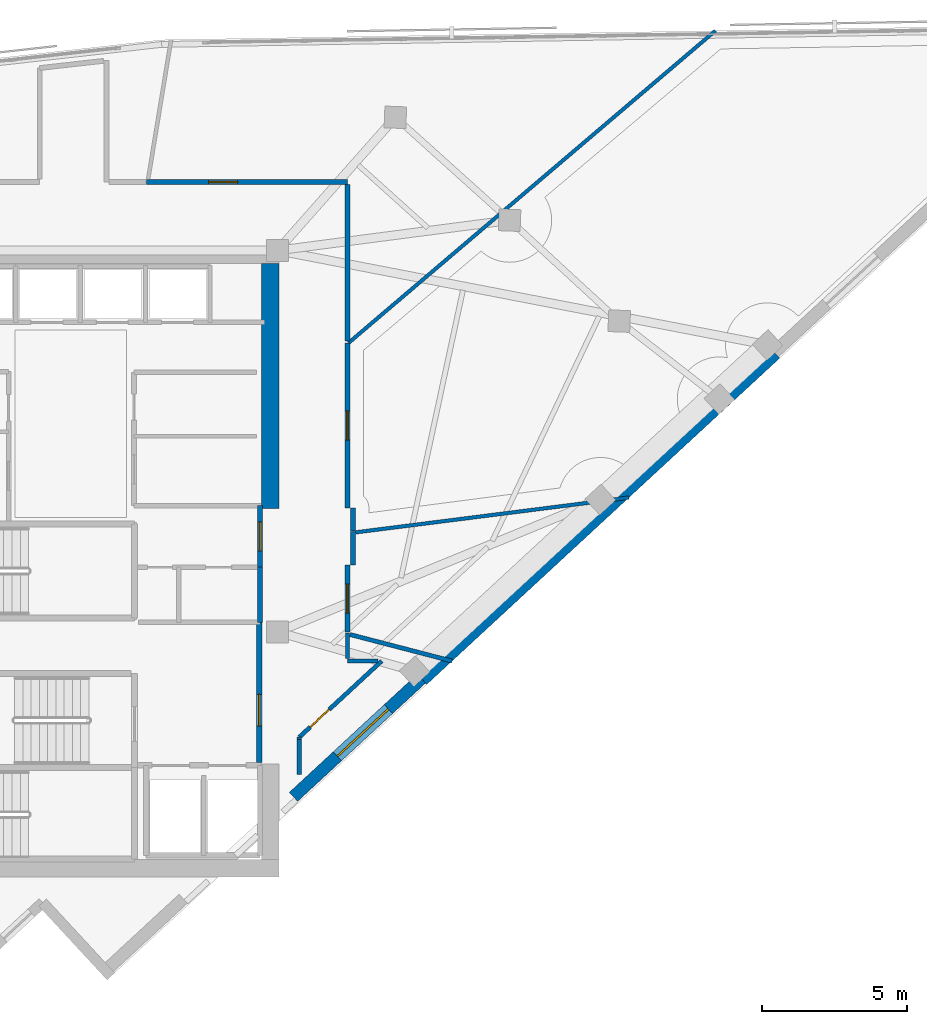
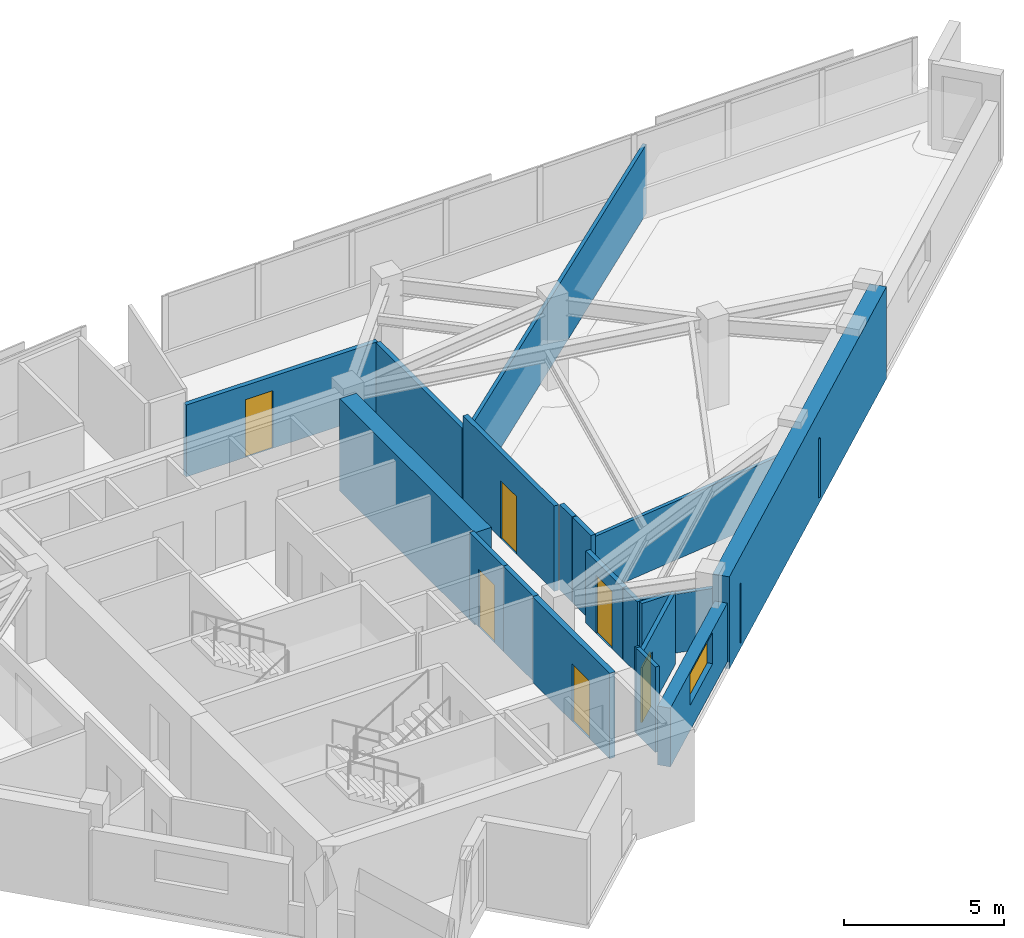
# One storey, part 10 of 13: 20 walls, 6 doors, 1 window, 7 openings.
"""IFC4 building model written with IfcOpenShell, lengths in metres."""

from ifc_helpers import new_model, si_unit, direction, frame, frame_2d, origin, place, context, subcontext, project, spatial, rectangle, extrude, material, layer, layer_set, type_object, element, fill, save


model = new_model("IFC4")

# Units and contexts
model_context = context("Model", 3, precision=1e-05, world=origin(), true_north=direction((0.0, 1.0)))
body_context = subcontext(model_context, "Body", "Model", "MODEL_VIEW")
ifc_project = project(units=[si_unit("LENGTHUNIT", "METRE"), si_unit("AREAUNIT", "SQUARE_METRE"), si_unit("VOLUMEUNIT", "CUBIC_METRE"), si_unit("PLANEANGLEUNIT", "RADIAN"), si_unit("MASSUNIT", "GRAM", prefix="KILO")], contexts=[model_context])

# Site, building, storey
site_placement = place(None, origin())
site = spatial("IfcSite", under=ifc_project, at=site_placement, CompositionType="ELEMENT")
building_placement = place(site_placement, origin())
building = spatial("IfcBuilding", under=site, at=building_placement, Name="Narakoshi Arena Tower", CompositionType="ELEMENT")
storey_placement = place(building_placement, frame((0.0, 0.0, 278.340087890625)))
storey = spatial("IfcBuildingStorey", under=building, at=storey_placement, Name="L76", CompositionType="ELEMENT", Elevation=278.340087890625)

# Wall
ifc_material_1 = material(Name="Concrete C50/60", Category="concrete")
ifc_layer_1 = layer(ifc_material_1, 0.60009765625)
ifc_layer_set_1 = layer_set([ifc_layer_1], Name="Concrete C50/60")
wall_type_1 = type_object("IfcWallType", Name="WL-CORE-600", PredefinedType="SHEAR", material=ifc_layer_set_1)
wall_1_placement = place(storey_placement, frame((85.300048828125, 47.60009765625, -0.260009765625), z_axis=(0.0, 0.0, 1.0), x_axis=(0.0, 1.0, 0.0)))
element("IfcWall", 1, at=wall_1_placement, inside=storey, type_object=wall_type_1, Name="L76 Main Core Shear Wall CW-MN-E", PredefinedType="SHEAR", context=body_context, shape_type="SweptSolid", body=[
    extrude(rectangle(XDim=8.449951171875, YDim=0.60009765625, at=frame_2d((4.22509765625, 0.0))), origin(), (0.0, 0.0, 1.0), 3.52001953125),
])

# Wall, opening, door
ifc_material_2 = material(Name="Gypsum plasterboard fire-rated partition")
ifc_layer_2 = layer(ifc_material_2, 0.1650390625)
ifc_layer_set_2 = layer_set([ifc_layer_2], Name="Gypsum plasterboard fire-rated partition")
wall_type_2 = type_object("IfcWallType", Name="WL-CORR-165", PredefinedType="PARTITIONING", material=ifc_layer_set_2)
wall_2_placement = place(storey_placement, frame((84.949951171875, 45.580078125, 0.0), z_axis=(0.0, 0.0, 1.0), x_axis=(0.0, 1.0, 0.0)))
wall_2 = element("IfcWall", 2, at=wall_2_placement, inside=storey, type_object=wall_type_2, Name="L76 Core Wall CPAS-E", PredefinedType="PARTITIONING", context=body_context, shape_type="SweptSolid", body=[
    extrude(rectangle(XDim=2.119873046875, YDim=0.1650390625, at=frame_2d((1.06005859375, 0.0))), origin(), (0.0, 0.0, 1.0), 3.260009765625),
])
opening_1_placement = place(wall_2_placement, frame((0.56005859375, 0.0, 0.0)))
opening_1 = element("IfcOpeningElement", 3, at=opening_1_placement, cuts=wall_2, Name="Opening D-06", PredefinedType="OPENING", context=body_context, shape_type="SweptSolid", body=[
    extrude(rectangle(XDim=1.0, YDim=2.199951171875, at=frame_2d((0.5, 1.10009765625))), frame((0.0, 0.092529296875, 0.0), z_axis=(0.0, -1.0, 0.0), x_axis=(1.0, 0.0, 0.0)), (0.0, 0.0, 1.0), 0.18505859375),
])
ifc_material_3 = material(Name="Stained oak solid-core timber", Category="wood")
door_type_1 = type_object("IfcDoorType", Name="DR-OFF-1000", OperationType="NOTDEFINED", PredefinedType="DOOR", material=ifc_material_3)
door_1_placement = place(opening_1_placement, frame((1.0, 0.0, 0.0), z_axis=(0.0, 0.0, 1.0), x_axis=(-1.0, 0.0, 0.0)))
door_1 = element("IfcDoor", 4, at=door_1_placement, inside=storey, type_object=door_type_1, Name="DR-L76-007", OperationType="SINGLE_SWING_LEFT", OverallHeight=2.199951171875, OverallWidth=1.0, PredefinedType="DOOR", context=body_context, shape_type="SweptSolid", body=[
    extrude(rectangle(XDim=1.0, YDim=2.199951171875, at=frame_2d((0.5, 1.10009765625))), frame((0.0, 0.02490234375, 0.0), z_axis=(0.0, -1.0, 0.0), x_axis=(1.0, 0.0, 0.0)), (0.0, 0.0, 1.0), 0.050048828125),
])
fill(opening_1, door_1)

wall_3_placement = place(storey_placement, frame((87.96142578125, 43.344482421875, 0.0), z_axis=(0.0, 0.0, 1.0), x_axis=(0.0, 1.0, 0.0)))
wall_3 = element("IfcWall", 5, at=wall_3_placement, inside=storey, type_object=wall_type_2, Name="L76 Corridor Partition 04-1", PredefinedType="PARTITIONING", context=body_context, shape_type="SweptSolid", body=[
    extrude(rectangle(XDim=2.305419921875, YDim=0.1650390625, at=frame_2d((1.15283203125, 0.0))), origin(), (0.0, 0.0, 1.0), 2.744873046875),
])
opening_2_placement = place(wall_3_placement, frame((0.65283203125, 0.0, 0.0)))
opening_2 = element("IfcOpeningElement", 6, at=opening_2_placement, cuts=wall_3, Name="Opening D-06", PredefinedType="OPENING", context=body_context, shape_type="SweptSolid", body=[
    extrude(rectangle(XDim=1.0, YDim=2.199951171875, at=frame_2d((0.5, 1.10009765625))), frame((0.0, 0.092529296875, 0.0), z_axis=(0.0, -1.0, 0.0), x_axis=(1.0, 0.0, 0.0)), (0.0, 0.0, 1.0), 0.18505859375),
])
door_2_placement = place(opening_2_placement, frame((1.0, 0.0, 0.0), z_axis=(0.0, 0.0, 1.0), x_axis=(-1.0, 0.0, 0.0)))
door_2 = element("IfcDoor", 7, at=door_2_placement, inside=storey, type_object=door_type_1, Name="DR-L76-020", OperationType="SINGLE_SWING_LEFT", OverallHeight=2.199951171875, OverallWidth=1.0, PredefinedType="DOOR", context=body_context, shape_type="SweptSolid", body=[
    extrude(rectangle(XDim=1.0, YDim=2.199951171875, at=frame_2d((0.5, 1.10009765625))), frame((0.0, 0.02490234375, 0.0), z_axis=(0.0, -1.0, 0.0), x_axis=(1.0, 0.0, 0.0)), (0.0, 0.0, 1.0), 0.050048828125),
])
fill(opening_2, door_2)

# Wall
wall_4_placement = place(storey_placement, frame((88.14990234375, 45.64990234375, 0.0), z_axis=(0.0, 0.0, 1.0), x_axis=(0.0, 1.0, 0.0)))
element("IfcWall", 8, at=wall_4_placement, inside=storey, type_object=wall_type_2, Name="L76 Corridor Partition 04-2", PredefinedType="PARTITIONING", context=body_context, shape_type="SweptSolid", body=[
    extrude(rectangle(XDim=1.156005859375, YDim=0.1650390625, at=frame_2d((0.578125, 0.0))), origin(), (0.0, 0.0, 1.0), 3.260009765625),
])

# Wall, opening, door
wall_5_placement = place(storey_placement, frame((87.96142578125, 47.6201171875, 0.0), z_axis=(0.0, 0.0, 1.0), x_axis=(0.0, 1.0, 0.0)))
wall_5 = element("IfcWall", 9, at=wall_5_placement, inside=storey, type_object=wall_type_2, Name="L76 Corridor Partition 05-1", PredefinedType="PARTITIONING", context=body_context, shape_type="SweptSolid", body=[
    extrude(rectangle(XDim=5.6923828125, YDim=0.1650390625, at=frame_2d((2.84619140625, 0.0))), origin(), (0.0, 0.0, 1.0), 3.260009765625),
])
opening_3_placement = place(wall_5_placement, frame((2.34619140625, 0.0, 0.0)))
opening_3 = element("IfcOpeningElement", 10, at=opening_3_placement, cuts=wall_5, Name="Opening D-06", PredefinedType="OPENING", context=body_context, shape_type="SweptSolid", body=[
    extrude(rectangle(XDim=1.0, YDim=2.199951171875, at=frame_2d((0.5, 1.10009765625))), frame((0.0, 0.092529296875, 0.0), z_axis=(0.0, -1.0, 0.0), x_axis=(1.0, 0.0, 0.0)), (0.0, 0.0, 1.0), 0.18505859375),
])
door_3_placement = place(opening_3_placement, frame((1.0, 0.0, 0.0), z_axis=(0.0, 0.0, 1.0), x_axis=(-1.0, 0.0, 0.0)))
door_3 = element("IfcDoor", 11, at=door_3_placement, inside=storey, type_object=door_type_1, Name="DR-L76-021", OperationType="SINGLE_SWING_RIGHT", OverallHeight=2.199951171875, OverallWidth=1.0, PredefinedType="DOOR", context=body_context, shape_type="SweptSolid", body=[
    extrude(rectangle(XDim=1.0, YDim=2.199951171875, at=frame_2d((0.5, 1.10009765625))), frame((0.0, 0.02490234375, 0.0), z_axis=(0.0, -1.0, 0.0), x_axis=(1.0, 0.0, 0.0)), (0.0, 0.0, 1.0), 0.050048828125),
])
fill(opening_3, door_3)

# Wall
wall_6_placement = place(storey_placement, frame((88.14990234375, 46.830078125, 0.0), z_axis=(0.0, 0.0, 1.0), x_axis=(0.0, 1.0, 0.0)))
element("IfcWall", 12, at=wall_6_placement, inside=storey, type_object=wall_type_2, Name="L76 Corridor Partition 05-2", PredefinedType="PARTITIONING", context=body_context, shape_type="SweptSolid", body=[
    extrude(rectangle(XDim=0.7900390625, YDim=0.1650390625, at=frame_2d((0.39501953125, 0.0))), origin(), (0.0, 0.0, 1.0), 3.260009765625),
])

# Wall, opening, door
wall_7_placement = place(storey_placement, frame((87.96142578125, 58.861328125, 0.0), z_axis=(0.0, 0.0, 1.0), x_axis=(-1.0, 0.0, 0.0)))
wall_7 = element("IfcWall", 13, at=wall_7_placement, inside=storey, type_object=wall_type_2, Name="L76 Corridor Partition 06-1", PredefinedType="PARTITIONING", context=body_context, shape_type="SweptSolid", body=[
    extrude(rectangle(XDim=6.924560546875, YDim=0.1650390625, at=frame_2d((3.46240234375, 0.0))), origin(), (0.0, 0.0, 1.0), 2.744873046875),
])
opening_4_placement = place(wall_7_placement, frame((3.791015625, 0.0, 0.0)))
opening_4 = element("IfcOpeningElement", 14, at=opening_4_placement, cuts=wall_7, Name="Opening D-06", PredefinedType="OPENING", context=body_context, shape_type="SweptSolid", body=[
    extrude(rectangle(XDim=1.0, YDim=2.199951171875, at=frame_2d((0.5, 1.10009765625))), frame((0.0, 0.092529296875, 0.0), z_axis=(0.0, -1.0, 0.0), x_axis=(1.0, 0.0, 0.0)), (0.0, 0.0, 1.0), 0.18505859375),
])
door_4_placement = place(opening_4_placement, frame((1.0, 0.0, 0.0), z_axis=(0.0, 0.0, 1.0), x_axis=(-1.0, 0.0, 0.0)))
door_4 = element("IfcDoor", 15, at=door_4_placement, inside=storey, type_object=door_type_1, Name="DR-L76-022", OperationType="SINGLE_SWING_LEFT", OverallHeight=2.199951171875, OverallWidth=1.0, PredefinedType="DOOR", context=body_context, shape_type="SweptSolid", body=[
    extrude(rectangle(XDim=1.0, YDim=2.199951171875, at=frame_2d((0.5, 1.10009765625))), frame((0.0, 0.02490234375, 0.0), z_axis=(0.0, -1.0, 0.0), x_axis=(1.0, 0.0, 0.0)), (0.0, 0.0, 1.0), 0.050048828125),
])
fill(opening_4, door_4)

# Walls
wall_8_placement = place(storey_placement, frame((87.96142578125, 53.3818359375, 0.0), z_axis=(0.0, 0.0, 1.0), x_axis=(0.0, 1.0, 0.0)))
element("IfcWall", 16, at=wall_8_placement, inside=storey, type_object=wall_type_2, Name="L76 Corridor Partition 06-2", PredefinedType="PARTITIONING", context=body_context, shape_type="SweptSolid", body=[
    extrude(rectangle(XDim=5.385009765625, YDim=0.1650390625, at=frame_2d((2.6923828125, 0.0))), origin(), (0.0, 0.0, 1.0), 2.744873046875),
])
ifc_layer_3 = layer(ifc_material_1, 0.550048828125)
ifc_layer_set_3 = layer_set([ifc_layer_3], Name="Concrete C50/60")
wall_type_3 = type_object("IfcWallType", Name="WL-LEG-550", PredefinedType="SHEAR", material=ifc_layer_set_3)
wall_9_placement = place(storey_placement, frame((90.5078125, 41.739501953125, -0.260009765625), z_axis=(0.0, 0.0, 1.0), x_axis=(0.734315848115, 0.678807951638, 0.0)))
element("IfcWall", 17, at=wall_9_placement, inside=storey, type_object=wall_type_3, Name="L76 Architectural Concrete Structural Wall LEGA-3", PredefinedType="SHEAR", context=body_context, shape_type="SweptSolid", body=[
    extrude(rectangle(XDim=16.57275390625, YDim=0.550048828125, at=frame_2d((8.286376953125, 0.0))), origin(), (0.0, 0.0, 1.0), 3.52001953125),
])
ifc_layer_4 = layer(ifc_material_2, 0.125)
ifc_layer_set_4 = layer_set([ifc_layer_4], Name="Gypsum plasterboard fire-rated partition")
wall_type_4 = type_object("IfcWallType", Name="WL-PART-125", PredefinedType="PARTITIONING", material=ifc_layer_set_4)
wall_10_placement = place(storey_placement, frame((88.244384765625, 46.7822265625, 0.0), z_axis=(0.0, 0.0, 1.0), x_axis=(0.992017807515, 0.126097857129, 0.0)))
element("IfcWall", 18, at=wall_10_placement, inside=storey, type_object=wall_type_4, Name="L76 Inter-Room Partition 04-05", PredefinedType="PARTITIONING", context=body_context, shape_type="SweptSolid", body=[
    extrude(rectangle(XDim=9.49462890625, YDim=0.125, at=frame_2d((4.747314453125, 0.0))), origin(), (0.0, 0.0, 1.0), 2.244873046875),
])
wall_11_placement = place(storey_placement, frame((87.9951171875, 53.3125, 0.0), z_axis=(0.0, 0.0, 1.0), x_axis=(0.761637538475, 0.648003287018, 0.0)))
element("IfcWall", 19, at=wall_11_placement, inside=storey, type_object=wall_type_4, Name="L76 Inter-Room Partition 05-06", PredefinedType="PARTITIONING", context=body_context, shape_type="SweptSolid", body=[
    extrude(rectangle(XDim=16.612060546875, YDim=0.125, at=frame_2d((8.30615234375, 0.0))), origin(), (0.0, 0.0, 1.0), 2.64501953125),
])

# Wall, opening, window
ifc_material_4 = material(Name="Precast concrete C45/55", Category="concrete")
ifc_layer_5 = layer(ifc_material_4, 0.419921875)
ifc_layer_set_5 = layer_set([ifc_layer_5], Name="Precast concrete C45/55")
wall_type_5 = type_object("IfcWallType", Name="WL-POD-420", PredefinedType="SOLIDWALL", material=ifc_layer_set_5)
wall_12_placement = place(storey_placement, frame((86.10009765625, 37.6650390625, 0.0), z_axis=(0.0, 0.0, 1.0), x_axis=(0.734321413343, 0.678801931277, 0.0)))
wall_12 = element("IfcWall", 20, at=wall_12_placement, inside=storey, type_object=wall_type_5, Name="L76 Architectural Concrete Facade Wall LEGA-2", PredefinedType="SOLIDWALL", context=body_context, shape_type="SweptSolid", body=[
    extrude(rectangle(XDim=6.00244140625, YDim=0.419921875, at=frame_2d((3.001220703125, 0.0))), origin(), (0.0, 0.0, 1.0), 2.244873046875),
])
opening_5_placement = place(wall_12_placement, frame((2.05712890625, 0.0, 0.965087890625)))
opening_5 = element("IfcOpeningElement", 21, at=opening_5_placement, cuts=wall_12, Name="Opening WN-04", PredefinedType="OPENING", context=body_context, shape_type="SweptSolid", body=[
    extrude(rectangle(XDim=2.39990234375, YDim=1.199951171875, at=frame_2d((1.199951171875, 0.60009765625))), frame((0.0, 0.219970703125, 0.0), z_axis=(0.0, -1.0, 0.0), x_axis=(1.0, 0.0, 0.0)), (0.0, 0.0, 1.0), 0.43994140625),
])
ifc_material_5 = material(Name="Bronze-tinted low-E laminated glass", Category="glass")
window_type = type_object("IfcWindowType", Name="WIN-SLT-24x12", PartitioningType="SINGLE_PANEL", PredefinedType="WINDOW", material=ifc_material_5)
window_placement = place(opening_5_placement, origin())
window = element("IfcWindow", 22, at=window_placement, inside=storey, type_object=window_type, Name="L76 LEGA2 Horizontal Slot Window 1", OverallHeight=1.199951171875, OverallWidth=2.39990234375, PartitioningType="SINGLE_PANEL", PredefinedType="WINDOW", context=body_context, shape_type="SweptSolid", body=[
    extrude(rectangle(XDim=2.39990234375, YDim=1.199951171875, at=frame_2d((1.199951171875, 0.60009765625))), frame((0.0, 0.030029296875, 0.0), z_axis=(0.0, -1.0, 0.0), x_axis=(1.0, 0.0, 0.0)), (0.0, 0.0, 1.0), 0.06005859375),
])
fill(opening_5, window)

# Wall
ifc_material_6 = material(Name="Concrete C40/50", Category="concrete")
ifc_layer_6 = layer(ifc_material_6, 0.280029296875)
ifc_layer_set_6 = layer_set([ifc_layer_6], Name="Concrete C40/50")
wall_type_6 = type_object("IfcWallType", Name="WL-RISER-280", PredefinedType="PLUMBINGWALL", material=ifc_layer_set_6)
wall_13_placement = place(storey_placement, frame((84.949951171875, 43.679931640625, 0.0), z_axis=(0.0, 0.0, 1.0), x_axis=(0.0, 1.0, 0.0)))
element("IfcWall", 23, at=wall_13_placement, inside=storey, type_object=wall_type_6, Name="L76 Core Wall RSR-E", PredefinedType="PLUMBINGWALL", context=body_context, shape_type="SweptSolid", body=[
    extrude(rectangle(XDim=1.900146484375, YDim=0.1650390625, at=frame_2d((0.9501953125, 0.0))), origin(), (0.0, 0.0, 1.0), 3.260009765625),
])

# Wall, opening, door
ifc_layer_7 = layer(ifc_material_1, 0.35009765625)
ifc_layer_set_7 = layer_set([ifc_layer_7], Name="Concrete C50/60")
wall_type_7 = type_object("IfcWallType", Name="WL-SHAFT-350", PredefinedType="SOLIDWALL", material=ifc_layer_set_7)
wall_14_placement = place(storey_placement, frame((84.919921875, 38.85009765625, 0.0), z_axis=(0.0, 0.0, 1.0), x_axis=(0.0, 1.0, 0.0)))
wall_14 = element("IfcWall", 24, at=wall_14_placement, inside=storey, type_object=wall_type_7, Name="L76 Core Wall FFLOB-E", PredefinedType="SOLIDWALL", context=body_context, shape_type="SweptSolid", body=[
    extrude(rectangle(XDim=4.829833984375, YDim=0.199951171875, at=frame_2d((2.4150390625, 0.0))), origin(), (0.0, 0.0, 1.0), 3.260009765625),
])
opening_6_placement = place(wall_14_placement, frame((1.25, 0.0, 0.0)))
opening_6 = element("IfcOpeningElement", 25, at=opening_6_placement, cuts=wall_14, Name="Opening D-04", PredefinedType="OPENING", context=body_context, shape_type="SweptSolid", body=[
    extrude(rectangle(XDim=1.10009765625, YDim=2.199951171875, at=frame_2d((0.550048828125, 1.10009765625))), frame((0.0, 0.10986328125, 0.0), z_axis=(0.0, -1.0, 0.0), x_axis=(1.0, 0.0, 0.0)), (0.0, 0.0, 1.0), 0.219970703125),
])
ifc_material_7 = material(Name="Painted galvanized steel", Category="steel")
door_type_2 = type_object("IfcDoorType", Name="DR-FFL-1100", OperationType="NOTDEFINED", PredefinedType="DOOR", material=ifc_material_7)
door_5_placement = place(opening_6_placement, frame((1.10009765625, 0.0, 0.0), z_axis=(0.0, 0.0, 1.0), x_axis=(-1.0, 0.0, 0.0)))
door_5 = element("IfcDoor", 26, at=door_5_placement, inside=storey, type_object=door_type_2, Name="DR-L76-005", OperationType="SINGLE_SWING_RIGHT", OverallHeight=2.199951171875, OverallWidth=1.10009765625, PredefinedType="DOOR", context=body_context, shape_type="SweptSolid", body=[
    extrude(rectangle(XDim=1.10009765625, YDim=2.199951171875, at=frame_2d((0.550048828125, 1.10009765625))), frame((0.0, 0.02490234375, 0.0), z_axis=(0.0, -1.0, 0.0), x_axis=(1.0, 0.0, 0.0)), (0.0, 0.0, 1.0), 0.050048828125),
])
fill(opening_6, door_5)

ifc_material_8 = material(Name="Moisture-resistant cement-board partition")
ifc_layer_8 = layer(ifc_material_8, 0.14501953125)
ifc_layer_set_8 = layer_set([ifc_layer_8], Name="Moisture-resistant cement-board partition")
wall_type_8 = type_object("IfcWallType", Name="WL-WET-145", PredefinedType="PARTITIONING", material=ifc_layer_set_8)
wall_15_placement = place(storey_placement, frame((86.300048828125, 39.722412109375, 0.0), z_axis=(0.0, 0.0, 1.0), x_axis=(0.734312402088, 0.678811679436, 0.0)))
wall_15 = element("IfcWall", 27, at=wall_15_placement, inside=storey, type_object=wall_type_8, Name="L76 Corridor Partition 03-1", PredefinedType="PARTITIONING", context=body_context, shape_type="SweptSolid", body=[
    extrude(rectangle(XDim=3.87109375, YDim=0.14501953125, at=frame_2d((1.935546875, 0.0))), origin(), (0.0, 0.0, 1.0), 2.744873046875),
])
opening_7_placement = place(wall_15_placement, frame((0.508544921875, 0.0, 0.0)))
opening_7 = element("IfcOpeningElement", 28, at=opening_7_placement, cuts=wall_15, Name="Opening D-08", PredefinedType="OPENING", context=body_context, shape_type="SweptSolid", body=[
    extrude(rectangle(XDim=0.89990234375, YDim=2.10009765625, at=frame_2d((0.449951171875, 1.050048828125))), frame((0.0, 0.08251953125, 0.0), z_axis=(0.0, -1.0, 0.0), x_axis=(1.0, 0.0, 0.0)), (0.0, 0.0, 1.0), 0.1650390625),
])
ifc_material_9 = material(Name="Moisture-resistant laminate timber", Category="wood")
door_type_3 = type_object("IfcDoorType", Name="DR-WC-900", OperationType="NOTDEFINED", PredefinedType="DOOR", material=ifc_material_9)
door_6_placement = place(opening_7_placement, frame((0.89990234375, 0.0, 0.0), z_axis=(0.0, 0.0, 1.0), x_axis=(-1.0, 0.0, 0.0)))
door_6 = element("IfcDoor", 29, at=door_6_placement, inside=storey, type_object=door_type_3, Name="DR-L76-019", OperationType="SINGLE_SWING_RIGHT", OverallHeight=2.10009765625, OverallWidth=0.89990234375, PredefinedType="DOOR", context=body_context, shape_type="SweptSolid", body=[
    extrude(rectangle(XDim=0.89990234375, YDim=2.10009765625, at=frame_2d((0.449951171875, 1.050048828125))), frame((0.0, 0.02490234375, 0.0), z_axis=(0.0, -1.0, 0.0), x_axis=(1.0, 0.0, 0.0)), (0.0, 0.0, 1.0), 0.050048828125),
])
fill(opening_7, door_6)

# Walls
wall_16_placement = place(storey_placement, frame((89.01806640625, 42.35009765625, 0.0), z_axis=(0.0, 0.0, 1.0), x_axis=(-1.0, 0.0, 0.0)))
element("IfcWall", 30, at=wall_16_placement, inside=storey, type_object=wall_type_8, Name="L76 Corridor Partition 03-2", PredefinedType="PARTITIONING", context=body_context, shape_type="SweptSolid", body=[
    extrude(rectangle(XDim=1.056640625, YDim=0.14501953125, at=frame_2d((0.5283203125, 0.0))), origin(), (0.0, 0.0, 1.0), 2.744873046875),
])
wall_17_placement = place(storey_placement, frame((87.96142578125, 42.4345703125, 0.0), z_axis=(0.0, 0.0, 1.0), x_axis=(0.0, 1.0, 0.0)))
element("IfcWall", 31, at=wall_17_placement, inside=storey, type_object=wall_type_8, Name="L76 Corridor Partition 03-3", PredefinedType="PARTITIONING", context=body_context, shape_type="SweptSolid", body=[
    extrude(rectangle(XDim=0.885009765625, YDim=0.14501953125, at=frame_2d((0.4423828125, 0.0))), origin(), (0.0, 0.0, 1.0), 2.744873046875),
])
wall_18_placement = place(storey_placement, frame((86.300048828125, 39.640625, 0.0), z_axis=(0.0, 0.0, 1.0), x_axis=(0.0, 1.0, 0.0)))
element("IfcWall", 32, at=wall_18_placement, inside=storey, type_object=wall_type_8, Name="L76 Corridor Partition 03-4", PredefinedType="PARTITIONING", context=body_context, shape_type="SweptSolid", body=[
    extrude(rectangle(XDim=0.081787109375, YDim=0.14501953125, at=frame_2d((0.041015625, 0.0))), origin(), (0.0, 0.0, 1.0), 3.260009765625),
])
wall_19_placement = place(storey_placement, frame((88.0458984375, 43.260498046875, 0.0), z_axis=(0.0, 0.0, 1.0), x_axis=(0.967793741417, -0.251744461855, 0.0)))
element("IfcWall", 33, at=wall_19_placement, inside=storey, type_object=wall_type_8, Name="L76 Inter-Room Partition 03-04", PredefinedType="PARTITIONING", context=body_context, shape_type="SweptSolid", body=[
    extrude(rectangle(XDim=3.638671875, YDim=0.14501953125, at=frame_2d((1.8193359375, 0.0))), origin(), (0.0, 0.0, 1.0), 2.244873046875),
])
wall_20_placement = place(storey_placement, frame((86.300048828125, 38.435546875, 0.0), z_axis=(0.0, 0.0, 1.0), x_axis=(0.0, 1.0, 0.0)))
element("IfcWall", 34, at=wall_20_placement, inside=storey, type_object=wall_type_8, Name="L76 Room Enclosure Partition 03-1", PredefinedType="PARTITIONING", context=body_context, shape_type="SweptSolid", body=[
    extrude(rectangle(XDim=1.205078125, YDim=0.14501953125, at=frame_2d((0.6025390625, 0.0))), origin(), (0.0, 0.0, 1.0), 3.260009765625),
])

save(model, "model.ifc")
